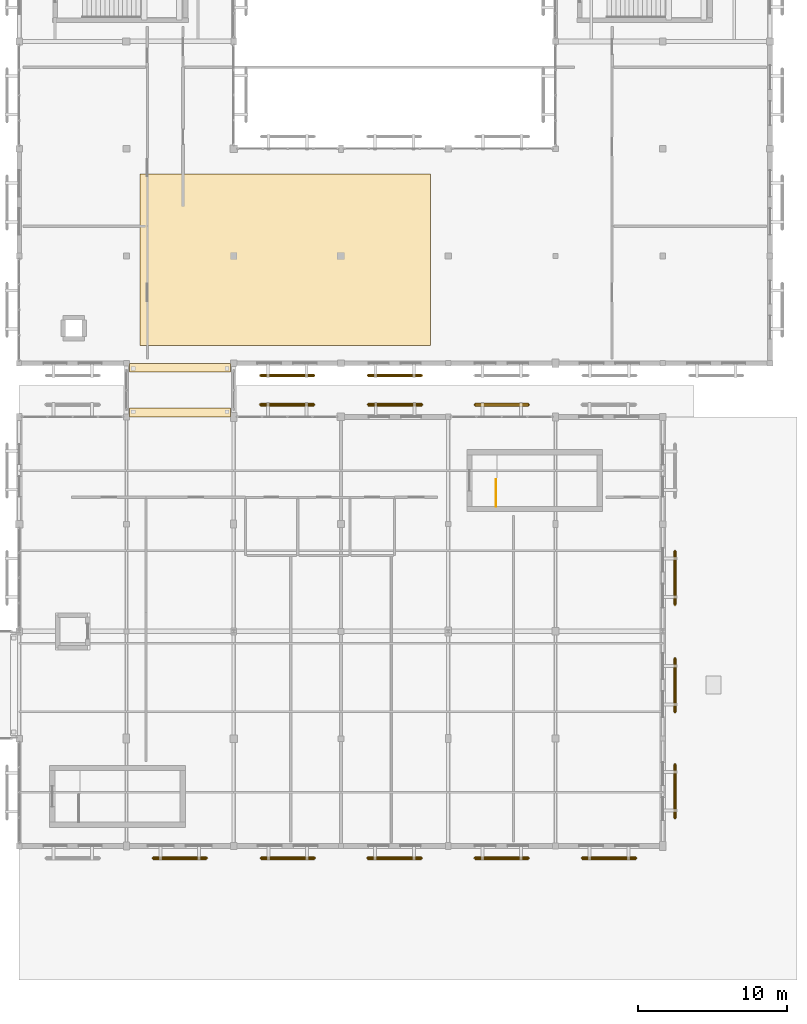
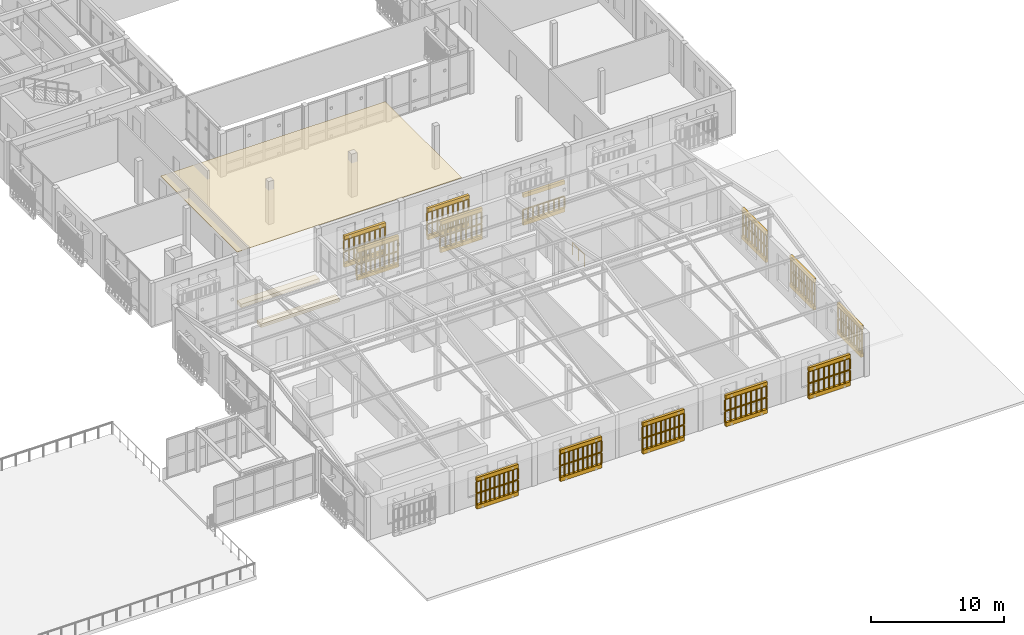
# One storey, part 106 of 112: 29 coverings, 26 railings.
"""IFC4 building model written with IfcOpenShell, lengths in metres."""

from ifc_helpers import new_model, si_unit, direction, frame, origin, origin_2d, place, context, subcontext, project, spatial, polyline, circle, outline, extrude, material, layer, layer_set, type_object, element, save


model = new_model("IFC4")

# Units and contexts
model_context = context("Model", 3, precision=1e-05, world=origin(), true_north=direction((0.0, 1.0)))
body_context = subcontext(model_context, "Body", "Model", "MODEL_VIEW")
ifc_project = project(units=[si_unit("LENGTHUNIT", "METRE"), si_unit("AREAUNIT", "SQUARE_METRE"), si_unit("VOLUMEUNIT", "CUBIC_METRE"), si_unit("PLANEANGLEUNIT", "RADIAN"), si_unit("MASSUNIT", "GRAM", prefix="KILO")], contexts=[model_context])

# Site, building, storey
site_placement = place(None, origin())
site = spatial("IfcSite", under=ifc_project, at=site_placement, CompositionType="ELEMENT")
building_placement = place(site_placement, origin())
building = spatial("IfcBuilding", under=site, at=building_placement, Name="Mazaris Harbour Polytechnic", CompositionType="ELEMENT")
storey_placement = place(building_placement, frame((0.0, 0.0, 13.800048828125)))
storey = spatial("IfcBuildingStorey", under=building, at=storey_placement, Name="L03", CompositionType="ELEMENT", Elevation=13.800048828125)

# Coverings
ifc_material_1 = material(Name="Glulam Acoustic Timber Slat", Category="wood")
ifc_layer_1 = layer(ifc_material_1, 0.0400390625, Name="Glulam Acoustic Timber Slat")
ifc_layer_set_1 = layer_set([ifc_layer_1], Name="Glulam Acoustic Timber Slat")
covering_type_1 = type_object("IfcCoveringType", Name="Acoustic Perforated Timber Ceiling 40", PredefinedType="CEILING", material=ifc_layer_set_1)
covering_1_placement = place(storey_placement, frame((0.0, 0.0, 3.099853515625)))
element("IfcCovering", 1, at=covering_1_placement, inside=storey, type_object=covering_type_1, Name="Covering COV-CE-06", PredefinedType="CEILING", context=body_context, shape_type="SweptSolid", body=[
    extrude(outline(polyline([(130.5, 48.0), (150.0, 48.0), (150.0, 59.5), (130.5, 59.5), (130.5, 48.0)])), origin(), (0.0, 0.0, 1.0), 0.0400390625),
])
ifc_material_2 = material(Name="Concrete C40/50", Category="concrete")
ifc_layer_2 = layer(ifc_material_2, 0.320068359375, Name="Concrete C40/50")
ifc_layer_set_2 = layer_set([ifc_layer_2], Name="Concrete C40/50")
covering_type_2 = type_object("IfcCoveringType", Name="Bridge Bearing Corbel 600 Exterior", PredefinedType="CLADDING", material=ifc_layer_set_2)
covering_2_placement = place(storey_placement, frame((0.0, 0.0, -0.650146484375)))
element("IfcCovering", 2, at=covering_2_placement, inside=storey, type_object=covering_type_2, Name="PB-NE L03 600mm Bridge Bearing Seat Corbel S", PredefinedType="CLADDING", context=body_context, shape_type="SweptSolid", body=[
    extrude(outline(polyline([(129.800048828125, 43.199951171875), (136.60009765625, 43.199951171875), (136.60009765625, 43.800048828125), (129.800048828125, 43.800048828125), (129.800048828125, 43.199951171875)])), origin(), (0.0, 0.0, 1.0), 0.320068359375),
])
covering_3_placement = place(storey_placement, frame((0.0, 0.0, -0.650146484375)))
element("IfcCovering", 3, at=covering_3_placement, inside=storey, type_object=covering_type_2, Name="PB-NE L03 600mm Bridge Bearing Seat Corbel N", PredefinedType="CLADDING", context=body_context, shape_type="SweptSolid", body=[
    extrude(outline(polyline([(129.800048828125, 46.199951171875), (136.60009765625, 46.199951171875), (136.60009765625, 46.800048828125), (129.800048828125, 46.800048828125), (129.800048828125, 46.199951171875)])), origin(), (0.0, 0.0, 1.0), 0.320068359375),
])

# Railings
ifc_material_3 = material(Name="Perforated Earth-Coloured Terracotta Block", Category="masonry")
railing_type_1 = type_object("IfcRailingType", Name="Perforated Earth-Block Claustra Lattice 1040", PredefinedType="BALUSTRADE", material=ifc_material_3)
for number, where, name in (
    (4, (134.985107421875, 13.580078125, 0.52001953125), "V2 L03 Lower Perforated Terracotta Block Screen 90"),
    (5, (134.985107421875, 13.580078125, 1.60986328125), "V2 L03 Upper Perforated Terracotta Block Screen 90"),
    (6, (142.22998046875, 13.580078125, 0.52001953125), "V2 L03 Lower Perforated Terracotta Block Screen 91"),
    (7, (142.22998046875, 13.580078125, 1.60986328125), "V2 L03 Upper Perforated Terracotta Block Screen 91"),
    (8, (149.39501953125, 13.580078125, 0.52001953125), "V2 L03 Lower Perforated Terracotta Block Screen 92"),
    (9, (149.39501953125, 13.580078125, 1.60986328125), "V2 L03 Upper Perforated Terracotta Block Screen 92"),
):
    element("IfcRailing", number, at=place(storey_placement, frame(where)), inside=storey, type_object=railing_type_1, Name=name, PredefinedType="BALUSTRADE", context=body_context, shape_type="SweptSolid", body=[
        extrude(circle(Radius=0.06982421875, at=origin_2d()), frame((0.0, 0.0, 1.02001953125), z_axis=(-1.0, 0.0, 0.0), x_axis=(0.0, -1.0, 0.0)), (0.0, 0.0, 1.0), 3.60009765625),
        extrude(circle(Radius=0.074951171875, at=origin_2d()), origin(), (0.0, 0.0, 1.0), 0.9501953125),
        extrude(circle(Radius=0.074951171875, at=origin_2d()), frame((-0.39990234375, 0.0, 0.0)), (0.0, 0.0, 1.0), 0.9501953125),
        extrude(circle(Radius=0.074951171875, at=origin_2d()), frame((-0.800048828125, 0.0, 0.0)), (0.0, 0.0, 1.0), 0.9501953125),
        extrude(circle(Radius=0.074951171875, at=origin_2d()), frame((-1.199951171875, 0.0, 0.0)), (0.0, 0.0, 1.0), 0.9501953125),
        extrude(circle(Radius=0.074951171875, at=origin_2d()), frame((-1.60009765625, 0.0, 0.0)), (0.0, 0.0, 1.0), 0.9501953125),
        extrude(circle(Radius=0.074951171875, at=origin_2d()), frame((-2.0, 0.0, 0.0)), (0.0, 0.0, 1.0), 0.9501953125),
        extrude(circle(Radius=0.074951171875, at=origin_2d()), frame((-2.400146484375, 0.0, 0.0)), (0.0, 0.0, 1.0), 0.9501953125),
        extrude(circle(Radius=0.074951171875, at=origin_2d()), frame((-2.800048828125, 0.0, 0.0)), (0.0, 0.0, 1.0), 0.9501953125),
        extrude(circle(Radius=0.074951171875, at=origin_2d()), frame((-3.2001953125, 0.0, 0.0)), (0.0, 0.0, 1.0), 0.9501953125),
        extrude(circle(Radius=0.074951171875, at=origin_2d()), frame((-3.60009765625, 0.0, 0.0)), (0.0, 0.0, 1.0), 0.9501953125),
    ])
for number, where, name in (
    (10, (156.5849609375, 13.580078125, 0.52001953125), "V2 L03 Lower Perforated Terracotta Block Screen 93"),
    (11, (156.5849609375, 13.580078125, 1.60986328125), "V2 L03 Upper Perforated Terracotta Block Screen 93"),
    (12, (163.794921875, 13.580078125, 0.52001953125), "V2 L03 Lower Perforated Terracotta Block Screen 94"),
    (13, (163.794921875, 13.580078125, 1.60986328125), "V2 L03 Upper Perforated Terracotta Block Screen 94"),
):
    element("IfcRailing", number, at=place(storey_placement, frame(where)), inside=storey, type_object=railing_type_1, Name=name, PredefinedType="BALUSTRADE", context=body_context, shape_type="SweptSolid", body=[
        extrude(circle(Radius=0.06982421875, at=origin_2d()), frame((0.0, 0.0, 1.02001953125), z_axis=(-1.0, 0.0, 0.0), x_axis=(0.0, -1.0, 0.0)), (0.0, 0.0, 1.0), 3.599853515625),
        extrude(circle(Radius=0.074951171875, at=origin_2d()), origin(), (0.0, 0.0, 1.0), 0.9501953125),
        extrude(circle(Radius=0.074951171875, at=origin_2d()), frame((-0.449951171875, 0.0, 0.0)), (0.0, 0.0, 1.0), 0.9501953125),
        extrude(circle(Radius=0.074951171875, at=origin_2d()), frame((-0.89990234375, 0.0, 0.0)), (0.0, 0.0, 1.0), 0.9501953125),
        extrude(circle(Radius=0.074951171875, at=origin_2d()), frame((-1.349853515625, 0.0, 0.0)), (0.0, 0.0, 1.0), 0.9501953125),
        extrude(circle(Radius=0.074951171875, at=origin_2d()), frame((-1.7998046875, 0.0, 0.0)), (0.0, 0.0, 1.0), 0.9501953125),
        extrude(circle(Radius=0.074951171875, at=origin_2d()), frame((-2.25, 0.0, 0.0)), (0.0, 0.0, 1.0), 0.9501953125),
        extrude(circle(Radius=0.074951171875, at=origin_2d()), frame((-2.699951171875, 0.0, 0.0)), (0.0, 0.0, 1.0), 0.9501953125),
        extrude(circle(Radius=0.074951171875, at=origin_2d()), frame((-3.14990234375, 0.0, 0.0)), (0.0, 0.0, 1.0), 0.9501953125),
        extrude(circle(Radius=0.074951171875, at=origin_2d()), frame((-3.599853515625, 0.0, 0.0)), (0.0, 0.0, 1.0), 0.9501953125),
    ])
for number, where, name in (
    (14, (138.5849609375, 44.02001953125, 0.52001953125), "V2 L03 Lower Perforated Terracotta Block Screen 96"),
    (15, (138.5849609375, 44.02001953125, 1.60986328125), "V2 L03 Upper Perforated Terracotta Block Screen 96"),
):
    element("IfcRailing", number, at=place(storey_placement, frame(where)), inside=storey, type_object=railing_type_1, Name=name, PredefinedType="BALUSTRADE", context=body_context, shape_type="SweptSolid", body=[
        extrude(circle(Radius=0.06982421875, at=origin_2d()), frame((0.0, 0.0, 1.02001953125), z_axis=(1.0, 0.0, 0.0), x_axis=(0.0, 1.0, 0.0)), (0.0, 0.0, 1.0), 3.60009765625),
        extrude(circle(Radius=0.074951171875, at=origin_2d()), origin(), (0.0, 0.0, 1.0), 0.9501953125),
        extrude(circle(Radius=0.074951171875, at=origin_2d()), frame((0.39990234375, 0.0, 0.0)), (0.0, 0.0, 1.0), 0.9501953125),
        extrude(circle(Radius=0.074951171875, at=origin_2d()), frame((0.800048828125, 0.0, 0.0)), (0.0, 0.0, 1.0), 0.9501953125),
        extrude(circle(Radius=0.074951171875, at=origin_2d()), frame((1.199951171875, 0.0, 0.0)), (0.0, 0.0, 1.0), 0.9501953125),
        extrude(circle(Radius=0.074951171875, at=origin_2d()), frame((1.60009765625, 0.0, 0.0)), (0.0, 0.0, 1.0), 0.9501953125),
        extrude(circle(Radius=0.074951171875, at=origin_2d()), frame((2.0, 0.0, 0.0)), (0.0, 0.0, 1.0), 0.9501953125),
        extrude(circle(Radius=0.074951171875, at=origin_2d()), frame((2.400146484375, 0.0, 0.0)), (0.0, 0.0, 1.0), 0.9501953125),
        extrude(circle(Radius=0.074951171875, at=origin_2d()), frame((2.800048828125, 0.0, 0.0)), (0.0, 0.0, 1.0), 0.9501953125),
        extrude(circle(Radius=0.074951171875, at=origin_2d()), frame((3.2001953125, 0.0, 0.0)), (0.0, 0.0, 1.0), 0.9501953125),
        extrude(circle(Radius=0.074951171875, at=origin_2d()), frame((3.60009765625, 0.0, 0.0)), (0.0, 0.0, 1.0), 0.9501953125),
    ])
for number, where, name in (
    (16, (145.830078125, 44.02001953125, 0.52001953125), "V2 L03 Lower Perforated Terracotta Block Screen 97"),
    (17, (145.830078125, 44.02001953125, 1.60986328125), "V2 L03 Upper Perforated Terracotta Block Screen 97"),
    (18, (152.9951171875, 44.02001953125, 0.52001953125), "V2 L03 Lower Perforated Terracotta Block Screen 98"),
):
    element("IfcRailing", number, at=place(storey_placement, frame(where)), inside=storey, type_object=railing_type_1, Name=name, PredefinedType="BALUSTRADE", context=body_context, shape_type="SweptSolid", body=[
        extrude(circle(Radius=0.06982421875, at=origin_2d()), frame((0.0, 0.0, 1.02001953125), z_axis=(1.0, 0.0, 0.0), x_axis=(0.0, 1.0, 0.0)), (0.0, 0.0, 1.0), 3.599853515625),
        extrude(circle(Radius=0.074951171875, at=origin_2d()), origin(), (0.0, 0.0, 1.0), 0.9501953125),
        extrude(circle(Radius=0.074951171875, at=origin_2d()), frame((0.449951171875, 0.0, 0.0)), (0.0, 0.0, 1.0), 0.9501953125),
        extrude(circle(Radius=0.074951171875, at=origin_2d()), frame((0.89990234375, 0.0, 0.0)), (0.0, 0.0, 1.0), 0.9501953125),
        extrude(circle(Radius=0.074951171875, at=origin_2d()), frame((1.349853515625, 0.0, 0.0)), (0.0, 0.0, 1.0), 0.9501953125),
        extrude(circle(Radius=0.074951171875, at=origin_2d()), frame((1.7998046875, 0.0, 0.0)), (0.0, 0.0, 1.0), 0.9501953125),
        extrude(circle(Radius=0.074951171875, at=origin_2d()), frame((2.25, 0.0, 0.0)), (0.0, 0.0, 1.0), 0.9501953125),
        extrude(circle(Radius=0.074951171875, at=origin_2d()), frame((2.699951171875, 0.0, 0.0)), (0.0, 0.0, 1.0), 0.9501953125),
        extrude(circle(Radius=0.074951171875, at=origin_2d()), frame((3.14990234375, 0.0, 0.0)), (0.0, 0.0, 1.0), 0.9501953125),
        extrude(circle(Radius=0.074951171875, at=origin_2d()), frame((3.599853515625, 0.0, 0.0)), (0.0, 0.0, 1.0), 0.9501953125),
    ])
for number, where, name in (
    (19, (166.419921875, 19.864990234375, 0.52001953125), "V2 L03 Lower Perforated Terracotta Block Screen 103"),
    (20, (166.419921875, 19.864990234375, 1.60986328125), "V2 L03 Upper Perforated Terracotta Block Screen 103"),
    (21, (166.419921875, 26.989990234375, 0.52001953125), "V2 L03 Lower Perforated Terracotta Block Screen 104"),
    (22, (166.419921875, 26.989990234375, 1.60986328125), "V2 L03 Upper Perforated Terracotta Block Screen 104"),
):
    element("IfcRailing", number, at=place(storey_placement, frame(where)), inside=storey, type_object=railing_type_1, Name=name, PredefinedType="BALUSTRADE", context=body_context, shape_type="SweptSolid", body=[
        extrude(circle(Radius=0.06982421875, at=origin_2d()), frame((0.0, 0.0, 1.02001953125), z_axis=(0.0, -1.0, 0.0), x_axis=(1.0, 0.0, 0.0)), (0.0, 0.0, 1.0), 3.60009765625),
        extrude(circle(Radius=0.074951171875, at=origin_2d()), origin(), (0.0, 0.0, 1.0), 0.9501953125),
        extrude(circle(Radius=0.074951171875, at=origin_2d()), frame((0.0, -0.39990234375, 0.0)), (0.0, 0.0, 1.0), 0.9501953125),
        extrude(circle(Radius=0.074951171875, at=origin_2d()), frame((0.0, -0.800048828125, 0.0)), (0.0, 0.0, 1.0), 0.9501953125),
        extrude(circle(Radius=0.074951171875, at=origin_2d()), frame((0.0, -1.199951171875, 0.0)), (0.0, 0.0, 1.0), 0.9501953125),
        extrude(circle(Radius=0.074951171875, at=origin_2d()), frame((0.0, -1.60009765625, 0.0)), (0.0, 0.0, 1.0), 0.9501953125),
        extrude(circle(Radius=0.074951171875, at=origin_2d()), frame((0.0, -2.0, 0.0)), (0.0, 0.0, 1.0), 0.9501953125),
        extrude(circle(Radius=0.074951171875, at=origin_2d()), frame((0.0, -2.400146484375, 0.0)), (0.0, 0.0, 1.0), 0.9501953125),
        extrude(circle(Radius=0.074951171875, at=origin_2d()), frame((0.0, -2.800048828125, 0.0)), (0.0, 0.0, 1.0), 0.9501953125),
        extrude(circle(Radius=0.074951171875, at=origin_2d()), frame((0.0, -3.2001953125, 0.0)), (0.0, 0.0, 1.0), 0.9501953125),
        extrude(circle(Radius=0.074951171875, at=origin_2d()), frame((0.0, -3.60009765625, 0.0)), (0.0, 0.0, 1.0), 0.9501953125),
    ])
for number, where, name in (
    (23, (166.419921875, 34.18994140625, 0.52001953125), "V2 L03 Lower Perforated Terracotta Block Screen 105"),
    (24, (166.419921875, 34.18994140625, 1.60986328125), "V2 L03 Upper Perforated Terracotta Block Screen 105"),
):
    element("IfcRailing", number, at=place(storey_placement, frame(where)), inside=storey, type_object=railing_type_1, Name=name, PredefinedType="BALUSTRADE", context=body_context, shape_type="SweptSolid", body=[
        extrude(circle(Radius=0.06982421875, at=origin_2d()), frame((0.0, 0.0, 1.02001953125), z_axis=(0.0, -1.0, 0.0), x_axis=(1.0, 0.0, 0.0)), (0.0, 0.0, 1.0), 3.599853515625),
        extrude(circle(Radius=0.074951171875, at=origin_2d()), origin(), (0.0, 0.0, 1.0), 0.9501953125),
        extrude(circle(Radius=0.074951171875, at=origin_2d()), frame((0.0, -0.449951171875, 0.0)), (0.0, 0.0, 1.0), 0.9501953125),
        extrude(circle(Radius=0.074951171875, at=origin_2d()), frame((0.0, -0.89990234375, 0.0)), (0.0, 0.0, 1.0), 0.9501953125),
        extrude(circle(Radius=0.074951171875, at=origin_2d()), frame((0.0, -1.349853515625, 0.0)), (0.0, 0.0, 1.0), 0.9501953125),
        extrude(circle(Radius=0.074951171875, at=origin_2d()), frame((0.0, -1.7998046875, 0.0)), (0.0, 0.0, 1.0), 0.9501953125),
        extrude(circle(Radius=0.074951171875, at=origin_2d()), frame((0.0, -2.25, 0.0)), (0.0, 0.0, 1.0), 0.9501953125),
        extrude(circle(Radius=0.074951171875, at=origin_2d()), frame((0.0, -2.699951171875, 0.0)), (0.0, 0.0, 1.0), 0.9501953125),
        extrude(circle(Radius=0.074951171875, at=origin_2d()), frame((0.0, -3.14990234375, 0.0)), (0.0, 0.0, 1.0), 0.9501953125),
        extrude(circle(Radius=0.074951171875, at=origin_2d()), frame((0.0, -3.599853515625, 0.0)), (0.0, 0.0, 1.0), 0.9501953125),
    ])
for number, where, name in (
    (25, (142.18994140625, 45.97998046875, 0.52001953125), "V5 L03 Lower Perforated Terracotta Block Screen 447"),
    (26, (142.18994140625, 45.97998046875, 1.60986328125), "V5 L03 Upper Perforated Terracotta Block Screen 447"),
    (27, (149.419921875, 45.97998046875, 0.52001953125), "V5 L03 Lower Perforated Terracotta Block Screen 448"),
    (28, (149.419921875, 45.97998046875, 1.60986328125), "V5 L03 Upper Perforated Terracotta Block Screen 448"),
):
    element("IfcRailing", number, at=place(storey_placement, frame(where)), inside=storey, type_object=railing_type_1, Name=name, PredefinedType="BALUSTRADE", context=body_context, shape_type="SweptSolid", body=[
        extrude(circle(Radius=0.06982421875, at=origin_2d()), frame((0.0, 0.0, 1.02001953125), z_axis=(-1.0, 0.0, 0.0), x_axis=(0.0, -1.0, 0.0)), (0.0, 0.0, 1.0), 3.599853515625),
        extrude(circle(Radius=0.074951171875, at=origin_2d()), origin(), (0.0, 0.0, 1.0), 0.9501953125),
        extrude(circle(Radius=0.074951171875, at=origin_2d()), frame((-0.449951171875, 0.0, 0.0)), (0.0, 0.0, 1.0), 0.9501953125),
        extrude(circle(Radius=0.074951171875, at=origin_2d()), frame((-0.89990234375, 0.0, 0.0)), (0.0, 0.0, 1.0), 0.9501953125),
        extrude(circle(Radius=0.074951171875, at=origin_2d()), frame((-1.349853515625, 0.0, 0.0)), (0.0, 0.0, 1.0), 0.9501953125),
        extrude(circle(Radius=0.074951171875, at=origin_2d()), frame((-1.7998046875, 0.0, 0.0)), (0.0, 0.0, 1.0), 0.9501953125),
        extrude(circle(Radius=0.074951171875, at=origin_2d()), frame((-2.25, 0.0, 0.0)), (0.0, 0.0, 1.0), 0.9501953125),
        extrude(circle(Radius=0.074951171875, at=origin_2d()), frame((-2.699951171875, 0.0, 0.0)), (0.0, 0.0, 1.0), 0.9501953125),
        extrude(circle(Radius=0.074951171875, at=origin_2d()), frame((-3.14990234375, 0.0, 0.0)), (0.0, 0.0, 1.0), 0.9501953125),
        extrude(circle(Radius=0.074951171875, at=origin_2d()), frame((-3.599853515625, 0.0, 0.0)), (0.0, 0.0, 1.0), 0.9501953125),
    ])
ifc_material_4 = material(Name="Steel S355", Category="steel")
railing_type_2 = type_object("IfcRailingType", Name="Stair Well Guardrail 1100", PredefinedType="GUARDRAIL", material=ifc_material_4)
railing_placement = place(storey_placement, frame((154.39990234375, 37.199951171875, 0.0)))
element("IfcRailing", 29, at=railing_placement, inside=storey, type_object=railing_type_2, Name="L03 ST04 top well guard 1", PredefinedType="GUARDRAIL", context=body_context, shape_type="SweptSolid", body=[
    extrude(circle(Radius=0.02392578125, at=origin_2d()), frame((0.0, 0.0, 1.076171875), z_axis=(0.0, 1.0, 0.0), x_axis=(-1.0, 0.0, 0.0)), (0.0, 0.0, 1.0), 1.800048828125),
    extrude(circle(Radius=0.02099609375, at=origin_2d()), origin(), (0.0, 0.0, 1.0), 1.052001953125),
    extrude(circle(Radius=0.02099609375, at=origin_2d()), frame((0.0, 0.89990234375, 0.0)), (0.0, 0.0, 1.0), 1.052001953125),
    extrude(circle(Radius=0.02099609375, at=origin_2d()), frame((0.0, 1.800048828125, 0.0)), (0.0, 0.0, 1.0), 1.052001953125),
])

# Coverings
ifc_material_5 = material(Name="Perforated Earth-Coloured Terracotta Block", Category="masonry")
ifc_layer_3 = layer(ifc_material_5, 0.219970703125, Name="Perforated Earth-Coloured Terracotta Block")
ifc_layer_set_3 = layer_set([ifc_layer_3], Name="Perforated Earth-Coloured Terracotta Block")
covering_type_3 = type_object("IfcCoveringType", Name="Terracotta Screen Course Cladding 220", PredefinedType="CLADDING", material=ifc_layer_set_3)
covering_4_placement = place(storey_placement, frame((0.0, 0.0, 0.159912109375)))
element("IfcCovering", 30, at=covering_4_placement, inside=storey, type_object=covering_type_3, Name="V2 L03 Perforated Screen Sill Course 90", PredefinedType="CLADDING", context=body_context, shape_type="SweptSolid", body=[
    extrude(outline(polyline([(134.985107421875, 13.68994140625), (131.385009765625, 13.68994140625), (131.385009765625, 13.469970703125), (134.985107421875, 13.469970703125), (134.985107421875, 13.68994140625)])), origin(), (0.0, 0.0, 1.0), 0.360107421875),
])
covering_5_placement = place(storey_placement, frame((0.0, 0.0, 2.699951171875)))
element("IfcCovering", 31, at=covering_5_placement, inside=storey, type_object=covering_type_3, Name="V2 L03 Perforated Screen Lintel Course 90", PredefinedType="CLADDING", context=body_context, shape_type="SweptSolid", body=[
    extrude(outline(polyline([(134.985107421875, 13.68994140625), (131.385009765625, 13.68994140625), (131.385009765625, 13.469970703125), (134.985107421875, 13.469970703125), (134.985107421875, 13.68994140625)])), origin(), (0.0, 0.0, 1.0), 0.340087890625),
])
covering_6_placement = place(storey_placement, frame((0.0, 0.0, 0.159912109375)))
element("IfcCovering", 32, at=covering_6_placement, inside=storey, type_object=covering_type_3, Name="V2 L03 Perforated Screen Sill Course 91", PredefinedType="CLADDING", context=body_context, shape_type="SweptSolid", body=[
    extrude(outline(polyline([(142.22998046875, 13.68994140625), (138.6298828125, 13.68994140625), (138.6298828125, 13.469970703125), (142.22998046875, 13.469970703125), (142.22998046875, 13.68994140625)])), origin(), (0.0, 0.0, 1.0), 0.360107421875),
])
covering_7_placement = place(storey_placement, frame((0.0, 0.0, 2.699951171875)))
element("IfcCovering", 33, at=covering_7_placement, inside=storey, type_object=covering_type_3, Name="V2 L03 Perforated Screen Lintel Course 91", PredefinedType="CLADDING", context=body_context, shape_type="SweptSolid", body=[
    extrude(outline(polyline([(142.22998046875, 13.68994140625), (138.6298828125, 13.68994140625), (138.6298828125, 13.469970703125), (142.22998046875, 13.469970703125), (142.22998046875, 13.68994140625)])), origin(), (0.0, 0.0, 1.0), 0.340087890625),
])
covering_8_placement = place(storey_placement, frame((0.0, 0.0, 0.159912109375)))
element("IfcCovering", 34, at=covering_8_placement, inside=storey, type_object=covering_type_3, Name="V2 L03 Perforated Screen Sill Course 92", PredefinedType="CLADDING", context=body_context, shape_type="SweptSolid", body=[
    extrude(outline(polyline([(149.39501953125, 13.68994140625), (145.794921875, 13.68994140625), (145.794921875, 13.469970703125), (149.39501953125, 13.469970703125), (149.39501953125, 13.68994140625)])), origin(), (0.0, 0.0, 1.0), 0.360107421875),
])
covering_9_placement = place(storey_placement, frame((0.0, 0.0, 2.699951171875)))
element("IfcCovering", 35, at=covering_9_placement, inside=storey, type_object=covering_type_3, Name="V2 L03 Perforated Screen Lintel Course 92", PredefinedType="CLADDING", context=body_context, shape_type="SweptSolid", body=[
    extrude(outline(polyline([(149.39501953125, 13.68994140625), (145.794921875, 13.68994140625), (145.794921875, 13.469970703125), (149.39501953125, 13.469970703125), (149.39501953125, 13.68994140625)])), origin(), (0.0, 0.0, 1.0), 0.340087890625),
])
covering_10_placement = place(storey_placement, frame((0.0, 0.0, 0.159912109375)))
element("IfcCovering", 36, at=covering_10_placement, inside=storey, type_object=covering_type_3, Name="V2 L03 Perforated Screen Sill Course 93", PredefinedType="CLADDING", context=body_context, shape_type="SweptSolid", body=[
    extrude(outline(polyline([(156.5849609375, 13.68994140625), (152.985107421875, 13.68994140625), (152.985107421875, 13.469970703125), (156.5849609375, 13.469970703125), (156.5849609375, 13.68994140625)])), origin(), (0.0, 0.0, 1.0), 0.360107421875),
])
covering_11_placement = place(storey_placement, frame((0.0, 0.0, 2.699951171875)))
element("IfcCovering", 37, at=covering_11_placement, inside=storey, type_object=covering_type_3, Name="V2 L03 Perforated Screen Lintel Course 93", PredefinedType="CLADDING", context=body_context, shape_type="SweptSolid", body=[
    extrude(outline(polyline([(156.5849609375, 13.68994140625), (152.985107421875, 13.68994140625), (152.985107421875, 13.469970703125), (156.5849609375, 13.469970703125), (156.5849609375, 13.68994140625)])), origin(), (0.0, 0.0, 1.0), 0.340087890625),
])
covering_12_placement = place(storey_placement, frame((0.0, 0.0, 0.159912109375)))
element("IfcCovering", 38, at=covering_12_placement, inside=storey, type_object=covering_type_3, Name="V2 L03 Perforated Screen Sill Course 94", PredefinedType="CLADDING", context=body_context, shape_type="SweptSolid", body=[
    extrude(outline(polyline([(163.794921875, 13.68994140625), (160.195068359375, 13.68994140625), (160.195068359375, 13.469970703125), (163.794921875, 13.469970703125), (163.794921875, 13.68994140625)])), origin(), (0.0, 0.0, 1.0), 0.360107421875),
])
covering_13_placement = place(storey_placement, frame((0.0, 0.0, 2.699951171875)))
element("IfcCovering", 39, at=covering_13_placement, inside=storey, type_object=covering_type_3, Name="V2 L03 Perforated Screen Lintel Course 94", PredefinedType="CLADDING", context=body_context, shape_type="SweptSolid", body=[
    extrude(outline(polyline([(163.794921875, 13.68994140625), (160.195068359375, 13.68994140625), (160.195068359375, 13.469970703125), (163.794921875, 13.469970703125), (163.794921875, 13.68994140625)])), origin(), (0.0, 0.0, 1.0), 0.340087890625),
])
covering_14_placement = place(storey_placement, frame((0.0, 0.0, 0.159912109375)))
element("IfcCovering", 40, at=covering_14_placement, inside=storey, type_object=covering_type_3, Name="V2 L03 Perforated Screen Sill Course 96", PredefinedType="CLADDING", context=body_context, shape_type="SweptSolid", body=[
    extrude(outline(polyline([(138.5849609375, 43.909912109375), (142.18505859375, 43.909912109375), (142.18505859375, 44.1298828125), (138.5849609375, 44.1298828125), (138.5849609375, 43.909912109375)])), origin(), (0.0, 0.0, 1.0), 0.360107421875),
])
covering_15_placement = place(storey_placement, frame((0.0, 0.0, 2.699951171875)))
element("IfcCovering", 41, at=covering_15_placement, inside=storey, type_object=covering_type_3, Name="V2 L03 Perforated Screen Lintel Course 96", PredefinedType="CLADDING", context=body_context, shape_type="SweptSolid", body=[
    extrude(outline(polyline([(138.5849609375, 43.909912109375), (142.18505859375, 43.909912109375), (142.18505859375, 44.1298828125), (138.5849609375, 44.1298828125), (138.5849609375, 43.909912109375)])), origin(), (0.0, 0.0, 1.0), 0.340087890625),
])
covering_16_placement = place(storey_placement, frame((0.0, 0.0, 0.159912109375)))
element("IfcCovering", 42, at=covering_16_placement, inside=storey, type_object=covering_type_3, Name="V2 L03 Perforated Screen Sill Course 97", PredefinedType="CLADDING", context=body_context, shape_type="SweptSolid", body=[
    extrude(outline(polyline([(145.830078125, 43.909912109375), (149.429931640625, 43.909912109375), (149.429931640625, 44.1298828125), (145.830078125, 44.1298828125), (145.830078125, 43.909912109375)])), origin(), (0.0, 0.0, 1.0), 0.360107421875),
])
covering_17_placement = place(storey_placement, frame((0.0, 0.0, 2.699951171875)))
element("IfcCovering", 43, at=covering_17_placement, inside=storey, type_object=covering_type_3, Name="V2 L03 Perforated Screen Lintel Course 97", PredefinedType="CLADDING", context=body_context, shape_type="SweptSolid", body=[
    extrude(outline(polyline([(145.830078125, 43.909912109375), (149.429931640625, 43.909912109375), (149.429931640625, 44.1298828125), (145.830078125, 44.1298828125), (145.830078125, 43.909912109375)])), origin(), (0.0, 0.0, 1.0), 0.340087890625),
])
covering_18_placement = place(storey_placement, frame((0.0, 0.0, 0.159912109375)))
element("IfcCovering", 44, at=covering_18_placement, inside=storey, type_object=covering_type_3, Name="V2 L03 Perforated Screen Sill Course 98", PredefinedType="CLADDING", context=body_context, shape_type="SweptSolid", body=[
    extrude(outline(polyline([(152.9951171875, 43.909912109375), (156.594970703125, 43.909912109375), (156.594970703125, 44.1298828125), (152.9951171875, 44.1298828125), (152.9951171875, 43.909912109375)])), origin(), (0.0, 0.0, 1.0), 0.360107421875),
])
covering_19_placement = place(storey_placement, frame((0.0, 0.0, 2.699951171875)))
element("IfcCovering", 45, at=covering_19_placement, inside=storey, type_object=covering_type_3, Name="V2 L03 Perforated Screen Lintel Course 98", PredefinedType="CLADDING", context=body_context, shape_type="SweptSolid", body=[
    extrude(outline(polyline([(152.9951171875, 43.909912109375), (156.594970703125, 43.909912109375), (156.594970703125, 44.1298828125), (152.9951171875, 44.1298828125), (152.9951171875, 43.909912109375)])), origin(), (0.0, 0.0, 1.0), 0.340087890625),
])
covering_20_placement = place(storey_placement, frame((0.0, 0.0, 0.159912109375)))
element("IfcCovering", 46, at=covering_20_placement, inside=storey, type_object=covering_type_3, Name="V2 L03 Perforated Screen Sill Course 103", PredefinedType="CLADDING", context=body_context, shape_type="SweptSolid", body=[
    extrude(outline(polyline([(166.31005859375, 19.864990234375), (166.31005859375, 16.264892578125), (166.530029296875, 16.264892578125), (166.530029296875, 19.864990234375), (166.31005859375, 19.864990234375)])), origin(), (0.0, 0.0, 1.0), 0.360107421875),
])
covering_21_placement = place(storey_placement, frame((0.0, 0.0, 2.699951171875)))
element("IfcCovering", 47, at=covering_21_placement, inside=storey, type_object=covering_type_3, Name="V2 L03 Perforated Screen Lintel Course 103", PredefinedType="CLADDING", context=body_context, shape_type="SweptSolid", body=[
    extrude(outline(polyline([(166.31005859375, 19.864990234375), (166.31005859375, 16.264892578125), (166.530029296875, 16.264892578125), (166.530029296875, 19.864990234375), (166.31005859375, 19.864990234375)])), origin(), (0.0, 0.0, 1.0), 0.340087890625),
])
covering_22_placement = place(storey_placement, frame((0.0, 0.0, 0.159912109375)))
element("IfcCovering", 48, at=covering_22_placement, inside=storey, type_object=covering_type_3, Name="V2 L03 Perforated Screen Sill Course 104", PredefinedType="CLADDING", context=body_context, shape_type="SweptSolid", body=[
    extrude(outline(polyline([(166.31005859375, 26.989990234375), (166.31005859375, 23.389892578125), (166.530029296875, 23.389892578125), (166.530029296875, 26.989990234375), (166.31005859375, 26.989990234375)])), origin(), (0.0, 0.0, 1.0), 0.360107421875),
])
covering_23_placement = place(storey_placement, frame((0.0, 0.0, 2.699951171875)))
element("IfcCovering", 49, at=covering_23_placement, inside=storey, type_object=covering_type_3, Name="V2 L03 Perforated Screen Lintel Course 104", PredefinedType="CLADDING", context=body_context, shape_type="SweptSolid", body=[
    extrude(outline(polyline([(166.31005859375, 26.989990234375), (166.31005859375, 23.389892578125), (166.530029296875, 23.389892578125), (166.530029296875, 26.989990234375), (166.31005859375, 26.989990234375)])), origin(), (0.0, 0.0, 1.0), 0.340087890625),
])
covering_24_placement = place(storey_placement, frame((0.0, 0.0, 0.159912109375)))
element("IfcCovering", 50, at=covering_24_placement, inside=storey, type_object=covering_type_3, Name="V2 L03 Perforated Screen Sill Course 105", PredefinedType="CLADDING", context=body_context, shape_type="SweptSolid", body=[
    extrude(outline(polyline([(166.31005859375, 34.18994140625), (166.31005859375, 30.590087890625), (166.530029296875, 30.590087890625), (166.530029296875, 34.18994140625), (166.31005859375, 34.18994140625)])), origin(), (0.0, 0.0, 1.0), 0.360107421875),
])
covering_25_placement = place(storey_placement, frame((0.0, 0.0, 2.699951171875)))
element("IfcCovering", 51, at=covering_25_placement, inside=storey, type_object=covering_type_3, Name="V2 L03 Perforated Screen Lintel Course 105", PredefinedType="CLADDING", context=body_context, shape_type="SweptSolid", body=[
    extrude(outline(polyline([(166.31005859375, 34.18994140625), (166.31005859375, 30.590087890625), (166.530029296875, 30.590087890625), (166.530029296875, 34.18994140625), (166.31005859375, 34.18994140625)])), origin(), (0.0, 0.0, 1.0), 0.340087890625),
])
covering_26_placement = place(storey_placement, frame((0.0, 0.0, 0.159912109375)))
element("IfcCovering", 52, at=covering_26_placement, inside=storey, type_object=covering_type_3, Name="V5 L03 Perforated Screen Sill Course 447", PredefinedType="CLADDING", context=body_context, shape_type="SweptSolid", body=[
    extrude(outline(polyline([(142.18994140625, 46.090087890625), (138.590087890625, 46.090087890625), (138.590087890625, 45.8701171875), (142.18994140625, 45.8701171875), (142.18994140625, 46.090087890625)])), origin(), (0.0, 0.0, 1.0), 0.360107421875),
])
covering_27_placement = place(storey_placement, frame((0.0, 0.0, 2.699951171875)))
element("IfcCovering", 53, at=covering_27_placement, inside=storey, type_object=covering_type_3, Name="V5 L03 Perforated Screen Lintel Course 447", PredefinedType="CLADDING", context=body_context, shape_type="SweptSolid", body=[
    extrude(outline(polyline([(142.18994140625, 46.090087890625), (138.590087890625, 46.090087890625), (138.590087890625, 45.8701171875), (142.18994140625, 45.8701171875), (142.18994140625, 46.090087890625)])), origin(), (0.0, 0.0, 1.0), 0.340087890625),
])
covering_28_placement = place(storey_placement, frame((0.0, 0.0, 0.159912109375)))
element("IfcCovering", 54, at=covering_28_placement, inside=storey, type_object=covering_type_3, Name="V5 L03 Perforated Screen Sill Course 448", PredefinedType="CLADDING", context=body_context, shape_type="SweptSolid", body=[
    extrude(outline(polyline([(149.419921875, 46.090087890625), (145.820068359375, 46.090087890625), (145.820068359375, 45.8701171875), (149.419921875, 45.8701171875), (149.419921875, 46.090087890625)])), origin(), (0.0, 0.0, 1.0), 0.360107421875),
])
covering_29_placement = place(storey_placement, frame((0.0, 0.0, 2.699951171875)))
element("IfcCovering", 55, at=covering_29_placement, inside=storey, type_object=covering_type_3, Name="V5 L03 Perforated Screen Lintel Course 448", PredefinedType="CLADDING", context=body_context, shape_type="SweptSolid", body=[
    extrude(outline(polyline([(149.419921875, 46.090087890625), (145.820068359375, 46.090087890625), (145.820068359375, 45.8701171875), (149.419921875, 45.8701171875), (149.419921875, 46.090087890625)])), origin(), (0.0, 0.0, 1.0), 0.340087890625),
])

save(model, "model.ifc")
